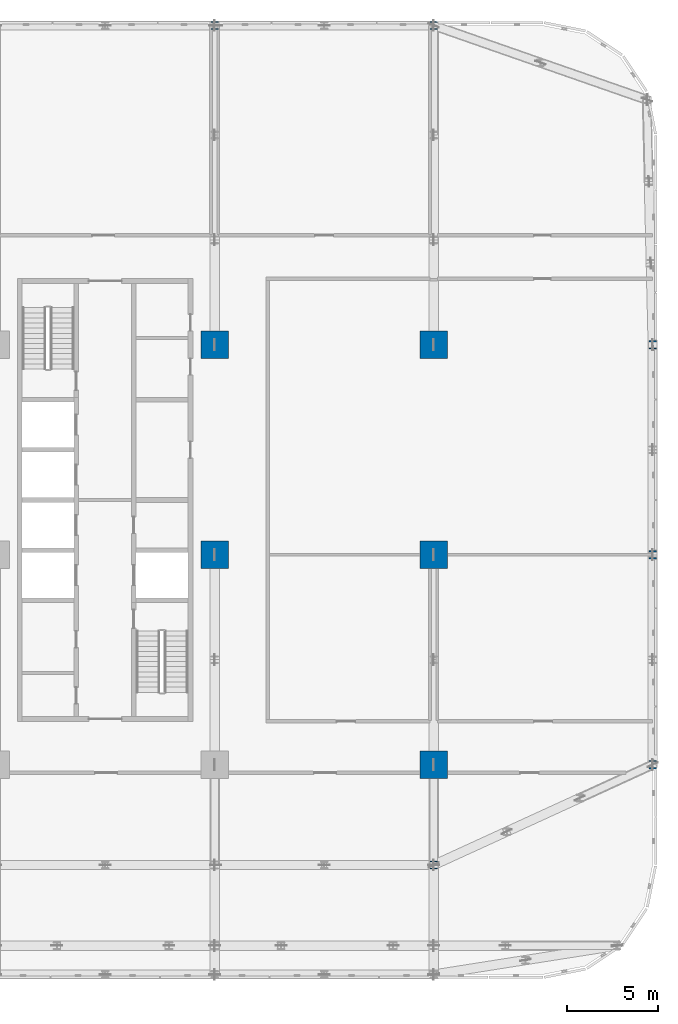
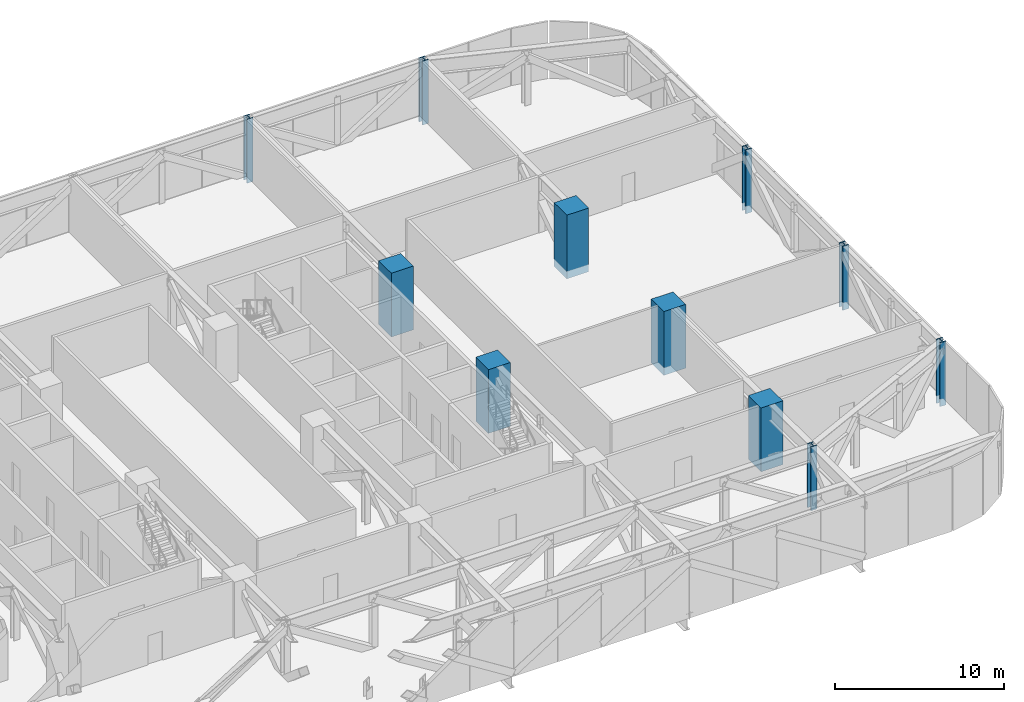
# One storey, part 2 of 26: 11 columns.
"""IFC4 building model written with IfcOpenShell, lengths in metres."""

from ifc_helpers import new_model, si_unit, direction, frame, origin, origin_2d, place, context, subcontext, project, spatial, rectangle, i_section, extrude, material, material_profile, profile_set, type_object, element, save


model = new_model("IFC4")

# Units and contexts
model_context = context("Model", 3, precision=1e-05, world=origin(), true_north=direction((0.0, 1.0)))
body_context = subcontext(model_context, "Body", "Model", "MODEL_VIEW")
ifc_project = project(units=[si_unit("LENGTHUNIT", "METRE"), si_unit("AREAUNIT", "SQUARE_METRE"), si_unit("VOLUMEUNIT", "CUBIC_METRE"), si_unit("PLANEANGLEUNIT", "RADIAN"), si_unit("MASSUNIT", "GRAM", prefix="KILO")], contexts=[model_context])

# Site, building, storey
site_placement = place(None, origin())
site = spatial("IfcSite", under=ifc_project, at=site_placement, CompositionType="ELEMENT")
building_placement = place(site_placement, origin())
building = spatial("IfcBuilding", under=site, at=building_placement, Name="Mahtab Terrace Research Tower", CompositionType="ELEMENT")
storey_placement = place(building_placement, frame((0.0, 0.0, 80.39990234375)))
storey = spatial("IfcBuildingStorey", under=building, at=storey_placement, Name="L18", CompositionType="ELEMENT", Elevation=80.39990234375)

# Columns
ifc_material_1 = material(Name="Concrete C70/85", Category="concrete")
ifc_material_profile_1 = material_profile(ifc_material_1, rectangle(XDim=1.5, YDim=1.5, at=origin_2d()), Name="RC column 1500x1500")
ifc_profile_set_1 = profile_set([ifc_material_profile_1], Name="Concrete C70/85")
column_type_1 = type_object("IfcColumnType", Name="RC column 1500x1500", PredefinedType="COLUMN", material=ifc_profile_set_1)
for number, where, z_axis, x_axis, name in (
    (1, (30.0, 0.0, -0.5498046875), (0.0, 0.0, 1.0), (1.0, 0.0, 0.0), "Column RC-7B L18"),
    (2, (30.0, 11.5, -0.5498046875), (0.0, 0.0, 1.0), (1.0, 0.0, 0.0), "Column RC-7C L18"),
    (3, (42.0, -11.5, -0.5498046875), (0.0, 0.0, 1.0), (1.0, 0.0, 0.0), "Column RC-8A L18"),
    (4, (42.0, 0.0, -0.5498046875), (0.0, 0.0, 1.0), (1.0, 0.0, 0.0), "Column RC-8B L18"),
    (5, (42.0, 11.5, -0.5498046875), (0.0, 0.0, 1.0), (1.0, 0.0, 0.0), "Column RC-8C L18"),
):
    element("IfcColumn", number, at=place(storey_placement, frame(where, z_axis=z_axis, x_axis=x_axis)), inside=storey, type_object=column_type_1, Name=name, PredefinedType="COLUMN", context=body_context, shape_type="SweptSolid", body=[
        extrude(rectangle(XDim=1.5, YDim=1.5, at=origin_2d()), origin(), (0.0, 0.0, 1.0), 4.60986328125),
    ])
ifc_material_2 = material(Name="Steel ASTM A992 Gr 50", Category="steel")
ifc_material_profile_2 = material_profile(ifc_material_2, i_section(OverallWidth=0.419189453125, OverallDepth=0.45458984375, WebThickness=0.042236328125, FlangeThickness=0.067626953125, at=origin_2d()), Name="W14X370")
ifc_profile_set_2 = profile_set([ifc_material_profile_2], Name="Steel ASTM A992 Gr 50")
column_type_2 = type_object("IfcColumnType", Name="W14x370 column CS14370", PredefinedType="COLUMN", material=ifc_profile_set_2)
for number, where, z_axis, x_axis, name in (
    (6, (42.0, 29.0, -0.5498046875), (0.0, 0.0, 1.0), (1.0, 0.0, 0.0), "Column SC-031 L18"),
    (7, (30.0, 29.0, -0.5498046875), (0.0, 0.0, 1.0), (1.0, 0.0, 0.0), "Column SC-032 L18"),
    (8, (42.0, -17.0, -0.5498046875), (0.0, 0.0, 1.0), (1.0, 0.0, 0.0), "Column SC-045 L18"),
):
    element("IfcColumn", number, at=place(storey_placement, frame(where, z_axis=z_axis, x_axis=x_axis)), inside=storey, type_object=column_type_2, Name=name, PredefinedType="COLUMN", context=body_context, shape_type="SweptSolid", body=[
        extrude(i_section(OverallWidth=0.419189453125, OverallDepth=0.45458984375, WebThickness=0.042236328125, FlangeThickness=0.067626953125, at=origin_2d()), origin(), (0.0, 0.0, 1.0), 4.60986328125),
    ])
ifc_material_profile_3 = material_profile(ifc_material_2, i_section(OverallWidth=0.42431640625, OverallDepth=0.47509765625, WebThickness=0.0478515625, FlangeThickness=0.0771484375, at=origin_2d()), Name="W14X426")
ifc_profile_set_3 = profile_set([ifc_material_profile_3], Name="Steel ASTM A992 Gr 50")
column_type_3 = type_object("IfcColumnType", Name="W14x426 column CS14426", PredefinedType="COLUMN", material=ifc_profile_set_3)
for number, where, z_axis, x_axis, name in (
    (9, (54.0, -11.5, -0.5498046875), (0.0, 0.0, 1.0), (1.0, 0.0, 0.0), "Column SC-027 L18"),
    (10, (54.0, 0.0, -0.5498046875), (0.0, 0.0, 1.0), (1.0, 0.0, 0.0), "Column SC-028 L18"),
    (11, (54.0, 11.5, -0.5498046875), (0.0, 0.0, 1.0), (1.0, 0.0, 0.0), "Column SC-029 L18"),
):
    element("IfcColumn", number, at=place(storey_placement, frame(where, z_axis=z_axis, x_axis=x_axis)), inside=storey, type_object=column_type_3, Name=name, PredefinedType="COLUMN", context=body_context, shape_type="SweptSolid", body=[
        extrude(i_section(OverallWidth=0.42431640625, OverallDepth=0.47509765625, WebThickness=0.0478515625, FlangeThickness=0.0771484375, at=origin_2d()), origin(), (0.0, 0.0, 1.0), 4.60986328125),
    ])

save(model, "model.ifc")
